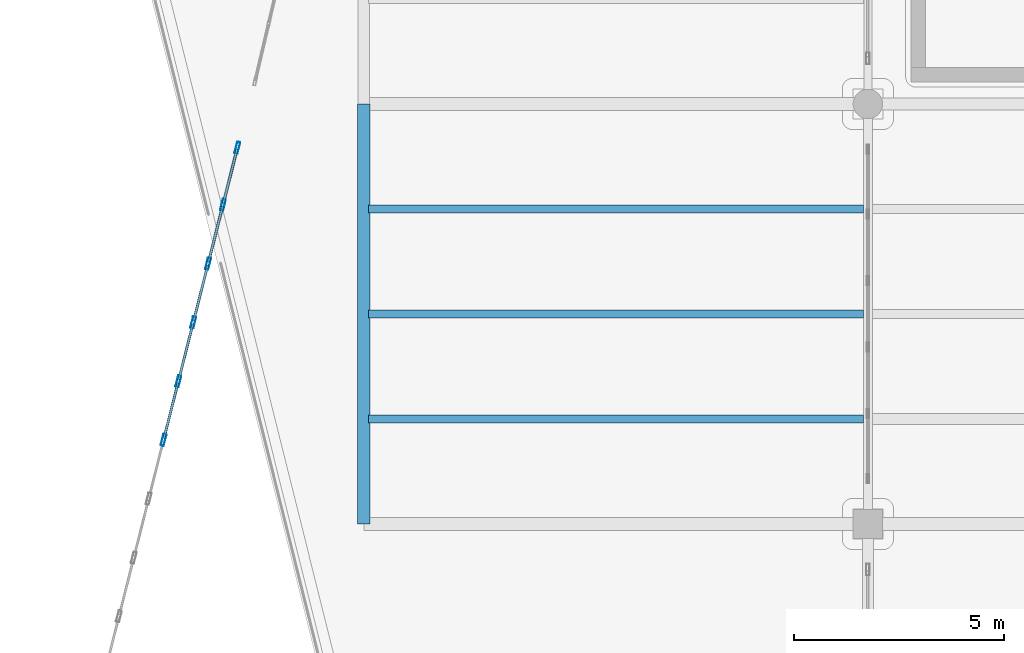
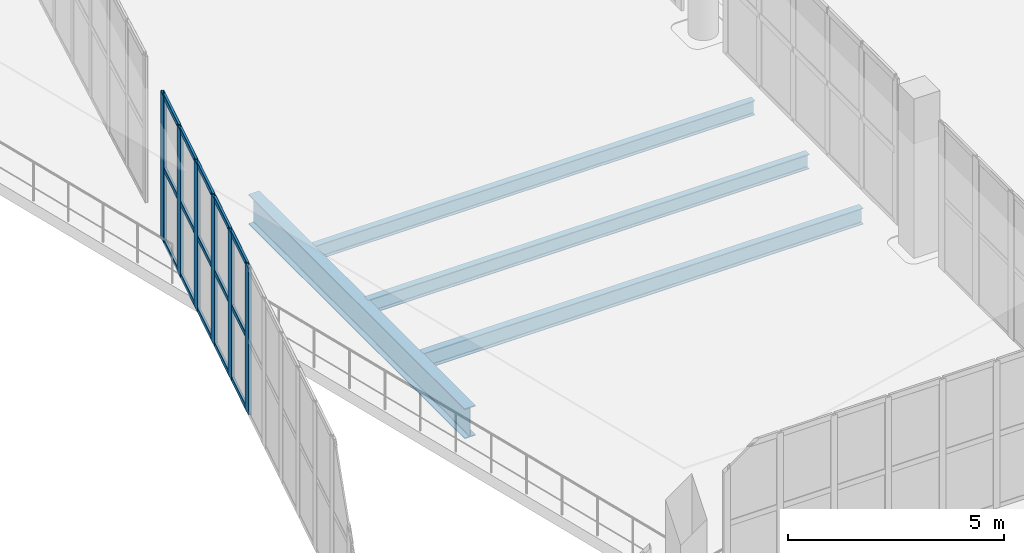
# One storey, part 34 of 108: 21 members, 4 beams, 1 element without a shape of its own.
"""IFC4 building model written with IfcOpenShell, lengths in metres."""

from ifc_helpers import new_model, si_unit, direction, frame, origin, origin_2d, place, context, subcontext, project, spatial, hollow_rectangle, i_section, extrude, material, layer, layer_set, material_profile, profile_set, type_object, element, aggregate, save


model = new_model("IFC4")

# Units and contexts
model_context = context("Model", 3, precision=1e-05, world=origin(), true_north=direction((0.0, 1.0)))
body_context = subcontext(model_context, "Body", "Model", "MODEL_VIEW")
ifc_project = project(units=[si_unit("LENGTHUNIT", "METRE"), si_unit("AREAUNIT", "SQUARE_METRE"), si_unit("VOLUMEUNIT", "CUBIC_METRE"), si_unit("PLANEANGLEUNIT", "RADIAN"), si_unit("MASSUNIT", "GRAM", prefix="KILO")], contexts=[model_context])

# Site, building, storey
site_placement = place(None, origin())
site = spatial("IfcSite", under=ifc_project, at=site_placement, CompositionType="ELEMENT")
building_placement = place(site_placement, origin())
building = spatial("IfcBuilding", under=site, at=building_placement, Name="Brinegate Civic Arena", CompositionType="ELEMENT")
storey_placement = place(building_placement, frame((0.0, 0.0, 10.199951171875)))
storey = spatial("IfcBuildingStorey", under=building, at=storey_placement, Name="L02", CompositionType="ELEMENT", Elevation=10.199951171875)

# Curtain wall, members
ifc_material_1 = material(Name="Marine grade aluminium", Category="aluminium")
ifc_layer = layer(ifc_material_1, 0.215087890625, Name="Marine grade aluminium")
ifc_layer_set = layer_set([ifc_layer], Name="Marine grade aluminium")
curtain_wall_type = type_object("IfcCurtainWallType", Name="CW-FOYER-GLAZED-02", PredefinedType="USERDEFINED", material=ifc_layer_set)
curtain_wall_placement = place(storey_placement, origin())
curtain_wall = element("IfcCurtainWall", 1, at=curtain_wall_placement, inside=storey, type_object=curtain_wall_type, Name="Curtain Wall CWA-003", ObjectType="GLAZED CURTAIN WALL", PredefinedType="USERDEFINED")
ifc_material_profile_1 = material_profile(ifc_material_1, hollow_rectangle(XDim=0.080078125, YDim=0.280029296875, WallThickness=0.007080078125, InnerFilletRadius=0.0048828125, OuterFilletRadius=0.010009765625, at=origin_2d()), Name="MUL80X280")
ifc_profile_set_1 = profile_set([ifc_material_profile_1], Name="Marine grade aluminium")
member_type_1 = type_object("IfcMemberType", Name="CW-MULLION-80X280", PredefinedType="MULLION", material=ifc_profile_set_1)
member_1_placement = place(storey_placement, frame((31.230712890625, 64.0, 0.0), z_axis=(0.0, 0.0, 1.0), x_axis=(-0.969512556417, 0.245041635134, 0.0)))
member_1 = element("IfcMember", 2, at=member_1_placement, type_object=member_type_1, Name="CWA-003 mullion 9", PredefinedType="MULLION", context=body_context, shape_type="SweptSolid", body=[
    extrude(hollow_rectangle(XDim=0.080078125, YDim=0.280029296875, WallThickness=0.007080078125, InnerFilletRadius=0.0048828125, OuterFilletRadius=0.010009765625, at=origin_2d()), origin(), (0.0, 0.0, 1.0), 4.150146484375),
])
member_2_placement = place(storey_placement, frame((31.584716796875, 65.39990234375, 0.0), z_axis=(0.0, 0.0, 1.0), x_axis=(-0.969512556417, 0.245041635134, 0.0)))
member_2 = element("IfcMember", 3, at=member_2_placement, type_object=member_type_1, Name="CWA-003 mullion 10", PredefinedType="MULLION", context=body_context, shape_type="SweptSolid", body=[
    extrude(hollow_rectangle(XDim=0.080078125, YDim=0.280029296875, WallThickness=0.007080078125, InnerFilletRadius=0.0048828125, OuterFilletRadius=0.010009765625, at=origin_2d()), origin(), (0.0, 0.0, 1.0), 4.150146484375),
])
member_3_placement = place(storey_placement, frame((31.9384765625, 66.800048828125, 0.0), z_axis=(0.0, 0.0, 1.0), x_axis=(-0.969512556417, 0.245041635134, 0.0)))
member_3 = element("IfcMember", 4, at=member_3_placement, type_object=member_type_1, Name="CWA-003 mullion 11", PredefinedType="MULLION", context=body_context, shape_type="SweptSolid", body=[
    extrude(hollow_rectangle(XDim=0.080078125, YDim=0.280029296875, WallThickness=0.007080078125, InnerFilletRadius=0.0048828125, OuterFilletRadius=0.010009765625, at=origin_2d()), origin(), (0.0, 0.0, 1.0), 4.150146484375),
])
member_4_placement = place(storey_placement, frame((32.292236328125, 68.199951171875, 0.0), z_axis=(0.0, 0.0, 1.0), x_axis=(-0.969512556417, 0.245041635134, 0.0)))
member_4 = element("IfcMember", 5, at=member_4_placement, type_object=member_type_1, Name="CWA-003 mullion 12", PredefinedType="MULLION", context=body_context, shape_type="SweptSolid", body=[
    extrude(hollow_rectangle(XDim=0.080078125, YDim=0.280029296875, WallThickness=0.007080078125, InnerFilletRadius=0.0048828125, OuterFilletRadius=0.010009765625, at=origin_2d()), origin(), (0.0, 0.0, 1.0), 4.150146484375),
])
member_5_placement = place(storey_placement, frame((32.646240234375, 69.60009765625, 0.0), z_axis=(0.0, 0.0, 1.0), x_axis=(-0.969512556417, 0.245041635134, 0.0)))
member_5 = element("IfcMember", 6, at=member_5_placement, type_object=member_type_1, Name="CWA-003 mullion 13", PredefinedType="MULLION", context=body_context, shape_type="SweptSolid", body=[
    extrude(hollow_rectangle(XDim=0.080078125, YDim=0.280029296875, WallThickness=0.007080078125, InnerFilletRadius=0.0048828125, OuterFilletRadius=0.010009765625, at=origin_2d()), origin(), (0.0, 0.0, 1.0), 4.150146484375),
])
member_6_placement = place(storey_placement, frame((32.990234375, 70.961181640625, 0.0), z_axis=(0.0, 0.0, 1.0), x_axis=(-0.969512556417, 0.245041635134, 0.0)))
member_6 = element("IfcMember", 7, at=member_6_placement, type_object=member_type_1, Name="CWA-003 mullion 14", PredefinedType="MULLION", context=body_context, shape_type="SweptSolid", body=[
    extrude(hollow_rectangle(XDim=0.080078125, YDim=0.280029296875, WallThickness=0.007080078125, InnerFilletRadius=0.0048828125, OuterFilletRadius=0.010009765625, at=origin_2d()), origin(), (0.0, 0.0, 1.0), 4.150146484375),
])
ifc_material_profile_2 = material_profile(ifc_material_1, hollow_rectangle(XDim=0.06494140625, YDim=0.139892578125, WallThickness=0.0048828125, InnerFilletRadius=0.00390625, OuterFilletRadius=0.008056640625, at=origin_2d()), Name="TRN65X140")
ifc_profile_set_2 = profile_set([ifc_material_profile_2], Name="Marine grade aluminium")
member_type_2 = type_object("IfcMemberType", Name="CW-TRANSOM-65X140", PredefinedType="USERDEFINED", material=ifc_profile_set_2)
member_7_placement = place(storey_placement, frame((31.240478515625, 64.038818359375, 0.032470703125), z_axis=(0.24501945087, 0.969518163159, 0.0), x_axis=(-0.969518163159, 0.24501945087, 0.0)))
member_7 = element("IfcMember", 8, at=member_7_placement, type_object=member_type_2, Name="CWA-003 transom 9.1", ObjectType="TRANSOM", PredefinedType="USERDEFINED", context=body_context, shape_type="SweptSolid", body=[
    extrude(hollow_rectangle(XDim=0.06494140625, YDim=0.139892578125, WallThickness=0.0048828125, InnerFilletRadius=0.00390625, OuterFilletRadius=0.008056640625, at=origin_2d()), origin(), (0.0, 0.0, 1.0), 1.364013671875),
])
member_8_placement = place(storey_placement, frame((31.240478515625, 64.038818359375, 2.074951171875), z_axis=(0.24501945087, 0.969518163159, 0.0), x_axis=(-0.969518163159, 0.24501945087, 0.0)))
member_8 = element("IfcMember", 9, at=member_8_placement, type_object=member_type_2, Name="CWA-003 transom 9.2", ObjectType="TRANSOM", PredefinedType="USERDEFINED", context=body_context, shape_type="SweptSolid", body=[
    extrude(hollow_rectangle(XDim=0.06494140625, YDim=0.139892578125, WallThickness=0.0048828125, InnerFilletRadius=0.00390625, OuterFilletRadius=0.008056640625, at=origin_2d()), origin(), (0.0, 0.0, 1.0), 1.364013671875),
])
member_9_placement = place(storey_placement, frame((31.240478515625, 64.038818359375, 4.117431640625), z_axis=(0.24501945087, 0.969518163159, 0.0), x_axis=(-0.969518163159, 0.24501945087, 0.0)))
member_9 = element("IfcMember", 10, at=member_9_placement, type_object=member_type_2, Name="CWA-003 transom 9.3", ObjectType="TRANSOM", PredefinedType="USERDEFINED", context=body_context, shape_type="SweptSolid", body=[
    extrude(hollow_rectangle(XDim=0.06494140625, YDim=0.139892578125, WallThickness=0.0048828125, InnerFilletRadius=0.00390625, OuterFilletRadius=0.008056640625, at=origin_2d()), origin(), (0.0, 0.0, 1.0), 1.364013671875),
])
member_10_placement = place(storey_placement, frame((31.594482421875, 65.438720703125, 0.032470703125), z_axis=(0.24501945087, 0.969518163159, 0.0), x_axis=(-0.969518163159, 0.24501945087, 0.0)))
member_10 = element("IfcMember", 11, at=member_10_placement, type_object=member_type_2, Name="CWA-003 transom 10.1", ObjectType="TRANSOM", PredefinedType="USERDEFINED", context=body_context, shape_type="SweptSolid", body=[
    extrude(hollow_rectangle(XDim=0.06494140625, YDim=0.139892578125, WallThickness=0.0048828125, InnerFilletRadius=0.00390625, OuterFilletRadius=0.008056640625, at=origin_2d()), origin(), (0.0, 0.0, 1.0), 1.364013671875),
])
member_11_placement = place(storey_placement, frame((31.594482421875, 65.438720703125, 2.074951171875), z_axis=(0.24501945087, 0.969518163159, 0.0), x_axis=(-0.969518163159, 0.24501945087, 0.0)))
member_11 = element("IfcMember", 12, at=member_11_placement, type_object=member_type_2, Name="CWA-003 transom 10.2", ObjectType="TRANSOM", PredefinedType="USERDEFINED", context=body_context, shape_type="SweptSolid", body=[
    extrude(hollow_rectangle(XDim=0.06494140625, YDim=0.139892578125, WallThickness=0.0048828125, InnerFilletRadius=0.00390625, OuterFilletRadius=0.008056640625, at=origin_2d()), origin(), (0.0, 0.0, 1.0), 1.364013671875),
])
member_12_placement = place(storey_placement, frame((31.594482421875, 65.438720703125, 4.117431640625), z_axis=(0.24501945087, 0.969518163159, 0.0), x_axis=(-0.969518163159, 0.24501945087, 0.0)))
member_12 = element("IfcMember", 13, at=member_12_placement, type_object=member_type_2, Name="CWA-003 transom 10.3", ObjectType="TRANSOM", PredefinedType="USERDEFINED", context=body_context, shape_type="SweptSolid", body=[
    extrude(hollow_rectangle(XDim=0.06494140625, YDim=0.139892578125, WallThickness=0.0048828125, InnerFilletRadius=0.00390625, OuterFilletRadius=0.008056640625, at=origin_2d()), origin(), (0.0, 0.0, 1.0), 1.364013671875),
])
member_13_placement = place(storey_placement, frame((31.9482421875, 66.8388671875, 0.032470703125), z_axis=(0.245061974134, 0.969507415564, 0.0), x_axis=(-0.969507415564, 0.245061974134, 0.0)))
member_13 = element("IfcMember", 14, at=member_13_placement, type_object=member_type_2, Name="CWA-003 transom 11.1", ObjectType="TRANSOM", PredefinedType="USERDEFINED", context=body_context, shape_type="SweptSolid", body=[
    extrude(hollow_rectangle(XDim=0.06494140625, YDim=0.139892578125, WallThickness=0.0048828125, InnerFilletRadius=0.00390625, OuterFilletRadius=0.008056640625, at=origin_2d()), origin(), (0.0, 0.0, 1.0), 1.36376953125),
])
member_14_placement = place(storey_placement, frame((31.9482421875, 66.8388671875, 2.074951171875), z_axis=(0.245061974134, 0.969507415564, 0.0), x_axis=(-0.969507415564, 0.245061974134, 0.0)))
member_14 = element("IfcMember", 15, at=member_14_placement, type_object=member_type_2, Name="CWA-003 transom 11.2", ObjectType="TRANSOM", PredefinedType="USERDEFINED", context=body_context, shape_type="SweptSolid", body=[
    extrude(hollow_rectangle(XDim=0.06494140625, YDim=0.139892578125, WallThickness=0.0048828125, InnerFilletRadius=0.00390625, OuterFilletRadius=0.008056640625, at=origin_2d()), origin(), (0.0, 0.0, 1.0), 1.36376953125),
])
member_15_placement = place(storey_placement, frame((31.9482421875, 66.8388671875, 4.117431640625), z_axis=(0.245061974134, 0.969507415564, 0.0), x_axis=(-0.969507415564, 0.245061974134, 0.0)))
member_15 = element("IfcMember", 16, at=member_15_placement, type_object=member_type_2, Name="CWA-003 transom 11.3", ObjectType="TRANSOM", PredefinedType="USERDEFINED", context=body_context, shape_type="SweptSolid", body=[
    extrude(hollow_rectangle(XDim=0.06494140625, YDim=0.139892578125, WallThickness=0.0048828125, InnerFilletRadius=0.00390625, OuterFilletRadius=0.008056640625, at=origin_2d()), origin(), (0.0, 0.0, 1.0), 1.36376953125),
])
member_16_placement = place(storey_placement, frame((32.302001953125, 68.23876953125, 0.032470703125), z_axis=(0.24501945087, 0.969518163159, 0.0), x_axis=(-0.969518163159, 0.24501945087, 0.0)))
member_16 = element("IfcMember", 17, at=member_16_placement, type_object=member_type_2, Name="CWA-003 transom 12.1", ObjectType="TRANSOM", PredefinedType="USERDEFINED", context=body_context, shape_type="SweptSolid", body=[
    extrude(hollow_rectangle(XDim=0.06494140625, YDim=0.139892578125, WallThickness=0.0048828125, InnerFilletRadius=0.00390625, OuterFilletRadius=0.008056640625, at=origin_2d()), origin(), (0.0, 0.0, 1.0), 1.364013671875),
])
member_17_placement = place(storey_placement, frame((32.302001953125, 68.23876953125, 2.074951171875), z_axis=(0.24501945087, 0.969518163159, 0.0), x_axis=(-0.969518163159, 0.24501945087, 0.0)))
member_17 = element("IfcMember", 18, at=member_17_placement, type_object=member_type_2, Name="CWA-003 transom 12.2", ObjectType="TRANSOM", PredefinedType="USERDEFINED", context=body_context, shape_type="SweptSolid", body=[
    extrude(hollow_rectangle(XDim=0.06494140625, YDim=0.139892578125, WallThickness=0.0048828125, InnerFilletRadius=0.00390625, OuterFilletRadius=0.008056640625, at=origin_2d()), origin(), (0.0, 0.0, 1.0), 1.364013671875),
])
member_18_placement = place(storey_placement, frame((32.302001953125, 68.23876953125, 4.117431640625), z_axis=(0.24501945087, 0.969518163159, 0.0), x_axis=(-0.969518163159, 0.24501945087, 0.0)))
member_18 = element("IfcMember", 19, at=member_18_placement, type_object=member_type_2, Name="CWA-003 transom 12.3", ObjectType="TRANSOM", PredefinedType="USERDEFINED", context=body_context, shape_type="SweptSolid", body=[
    extrude(hollow_rectangle(XDim=0.06494140625, YDim=0.139892578125, WallThickness=0.0048828125, InnerFilletRadius=0.00390625, OuterFilletRadius=0.008056640625, at=origin_2d()), origin(), (0.0, 0.0, 1.0), 1.364013671875),
])
member_19_placement = place(storey_placement, frame((32.656005859375, 69.638671875, 0.032470703125), z_axis=(0.245051157983, 0.969510149494, 0.0), x_axis=(-0.969510149494, 0.245051157983, 0.0)))
member_19 = element("IfcMember", 20, at=member_19_placement, type_object=member_type_2, Name="CWA-003 transom 13.1", ObjectType="TRANSOM", PredefinedType="USERDEFINED", context=body_context, shape_type="SweptSolid", body=[
    extrude(hollow_rectangle(XDim=0.06494140625, YDim=0.139892578125, WallThickness=0.0048828125, InnerFilletRadius=0.00390625, OuterFilletRadius=0.008056640625, at=origin_2d()), origin(), (0.0, 0.0, 1.0), 1.323974609375),
])
member_20_placement = place(storey_placement, frame((32.656005859375, 69.638671875, 2.074951171875), z_axis=(0.245051157983, 0.969510149494, 0.0), x_axis=(-0.969510149494, 0.245051157983, 0.0)))
member_20 = element("IfcMember", 21, at=member_20_placement, type_object=member_type_2, Name="CWA-003 transom 13.2", ObjectType="TRANSOM", PredefinedType="USERDEFINED", context=body_context, shape_type="SweptSolid", body=[
    extrude(hollow_rectangle(XDim=0.06494140625, YDim=0.139892578125, WallThickness=0.0048828125, InnerFilletRadius=0.00390625, OuterFilletRadius=0.008056640625, at=origin_2d()), origin(), (0.0, 0.0, 1.0), 1.323974609375),
])
member_21_placement = place(storey_placement, frame((32.656005859375, 69.638671875, 4.117431640625), z_axis=(0.245051157983, 0.969510149494, 0.0), x_axis=(-0.969510149494, 0.245051157983, 0.0)))
member_21 = element("IfcMember", 22, at=member_21_placement, type_object=member_type_2, Name="CWA-003 transom 13.3", ObjectType="TRANSOM", PredefinedType="USERDEFINED", context=body_context, shape_type="SweptSolid", body=[
    extrude(hollow_rectangle(XDim=0.06494140625, YDim=0.139892578125, WallThickness=0.0048828125, InnerFilletRadius=0.00390625, OuterFilletRadius=0.008056640625, at=origin_2d()), origin(), (0.0, 0.0, 1.0), 1.323974609375),
])
aggregate(curtain_wall, [member_1, member_2, member_3, member_4, member_5, member_6, member_7, member_8, member_9, member_10, member_11, member_12, member_13, member_14, member_15, member_16, member_17, member_18, member_19, member_20, member_21])

# Beams
ifc_material_2 = material(Name="Steel S355", Category="steel")
ifc_material_profile_3 = material_profile(ifc_material_2, i_section(OverallWidth=0.2939453125, OverallDepth=0.85107421875, WebThickness=0.01611328125, FlangeThickness=0.027099609375, FilletRadius=0.02197265625, at=origin_2d()), Name="W840X226")
ifc_profile_set_3 = profile_set([ifc_material_profile_3], Name="Steel S355")
beam_type_1 = type_object("IfcBeamType", Name="GIRDER-W840X226", PredefinedType="BEAM", material=ifc_profile_set_3)
beam_1_placement = place(storey_placement, frame((36.0, 62.0, -0.7548828125), z_axis=(0.0, 1.0, 0.0), x_axis=(-1.0, 0.0, 0.0)))
element("IfcBeam", 23, at=beam_1_placement, inside=storey, type_object=beam_type_1, Name="Floor Girder BM-L02-GY-03-06", PredefinedType="BEAM", context=body_context, shape_type="SweptSolid", body=[
    extrude(i_section(OverallWidth=0.2939453125, OverallDepth=0.85107421875, WebThickness=0.01611328125, FlangeThickness=0.027099609375, FilletRadius=0.02197265625, at=origin_2d()), origin(), (0.0, 0.0, 1.0), 10.0),
])
ifc_material_profile_4 = material_profile(ifc_material_2, i_section(OverallWidth=0.178955078125, OverallDepth=0.409912109375, WebThickness=0.009033203125, FlangeThickness=0.013916015625, FilletRadius=0.013916015625, at=origin_2d()), Name="W410X67")
ifc_profile_set_4 = profile_set([ifc_material_profile_4], Name="Steel S355")
beam_type_2 = type_object("IfcBeamType", Name="JOIST-W410X67", PredefinedType="JOIST", material=ifc_profile_set_4)
beam_2_placement = place(storey_placement, frame((36.10595703125, 69.5, -0.534912109375), z_axis=(1.0, 0.0, 0.0), x_axis=(0.0, 1.0, 0.0)))
element("IfcBeam", 24, at=beam_2_placement, inside=storey, type_object=beam_type_2, Name="Secondary Joist BM-L02-JX-03-06-3", PredefinedType="JOIST", context=body_context, shape_type="SweptSolid", body=[
    extrude(i_section(OverallWidth=0.178955078125, OverallDepth=0.409912109375, WebThickness=0.009033203125, FlangeThickness=0.013916015625, FilletRadius=0.013916015625, at=origin_2d()), origin(), (0.0, 0.0, 1.0), 11.7880859375),
])
ifc_material_profile_5 = material_profile(ifc_material_2, i_section(OverallWidth=0.180908203125, OverallDepth=0.4169921875, WebThickness=0.010986328125, FlangeThickness=0.01806640625, FilletRadius=0.013916015625, at=origin_2d()), Name="W410X85")
ifc_profile_set_5 = profile_set([ifc_material_profile_5], Name="Steel S355")
beam_type_3 = type_object("IfcBeamType", Name="JOIST-W410X85", PredefinedType="JOIST", material=ifc_profile_set_5)
beam_3_placement = place(storey_placement, frame((36.10595703125, 67.0, -0.537841796875), z_axis=(1.0, 0.0, 0.0), x_axis=(0.0, 1.0, 0.0)))
element("IfcBeam", 25, at=beam_3_placement, inside=storey, type_object=beam_type_3, Name="Secondary Joist BM-L02-JX-03-06-2", PredefinedType="JOIST", context=body_context, shape_type="SweptSolid", body=[
    extrude(i_section(OverallWidth=0.180908203125, OverallDepth=0.4169921875, WebThickness=0.010986328125, FlangeThickness=0.01806640625, FilletRadius=0.013916015625, at=origin_2d()), origin(), (0.0, 0.0, 1.0), 11.7880859375),
])
ifc_material_profile_6 = material_profile(ifc_material_2, i_section(OverallWidth=0.19091796875, OverallDepth=0.4599609375, WebThickness=0.010009765625, FlangeThickness=0.01611328125, FilletRadius=0.014892578125, at=origin_2d()), Name="W460X82")
ifc_profile_set_6 = profile_set([ifc_material_profile_6], Name="Steel S355")
beam_type_4 = type_object("IfcBeamType", Name="JOIST-W460X82", PredefinedType="JOIST", material=ifc_profile_set_6)
beam_4_placement = place(storey_placement, frame((36.10595703125, 64.5, -0.56005859375), z_axis=(1.0, 0.0, 0.0), x_axis=(0.0, 1.0, 0.0)))
element("IfcBeam", 26, at=beam_4_placement, inside=storey, type_object=beam_type_4, Name="Secondary Joist BM-L02-JX-03-06-1", PredefinedType="JOIST", context=body_context, shape_type="SweptSolid", body=[
    extrude(i_section(OverallWidth=0.19091796875, OverallDepth=0.4599609375, WebThickness=0.010009765625, FlangeThickness=0.01611328125, FilletRadius=0.014892578125, at=origin_2d()), origin(), (0.0, 0.0, 1.0), 11.7880859375),
])

save(model, "model.ifc")
